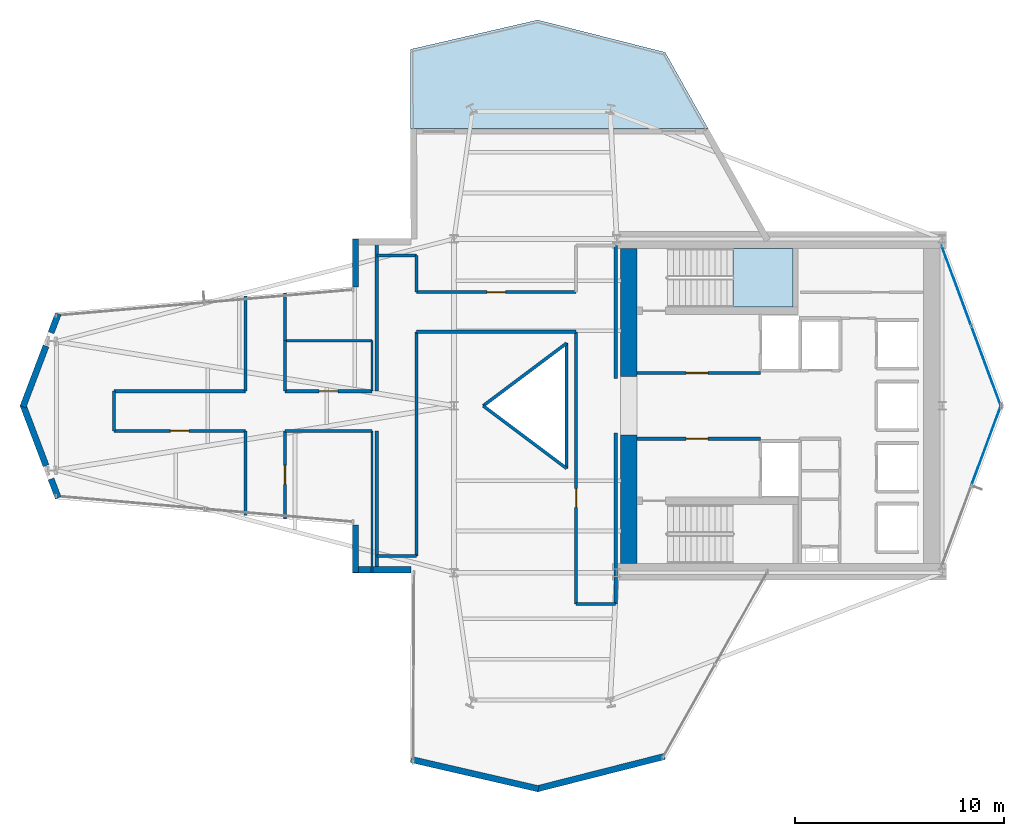
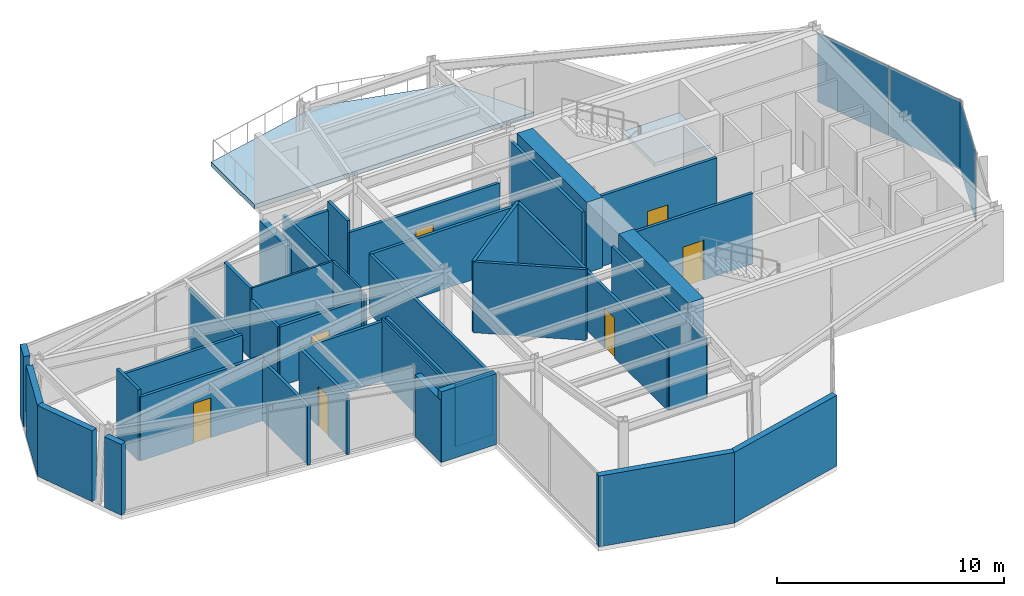
# One storey, part 19 of 23: 41 walls, 7 doors, 3 plates, 2 slabs, 7 openings, 3 elements without a shape of their own.
"""IFC4 building model written with IfcOpenShell, lengths in metres."""

from ifc_helpers import new_model, si_unit, direction, frame, frame_2d, origin, origin_2d, place, context, subcontext, project, spatial, polyline, rectangle, outline, extrude, material, layer, layer_set, type_object, element, fill, aggregate, save


model = new_model("IFC4")

# Units and contexts
model_context = context("Model", 3, precision=1e-05, world=origin(), true_north=direction((0.0, 1.0)))
body_context = subcontext(model_context, "Body", "Model", "MODEL_VIEW")
ifc_project = project(units=[si_unit("LENGTHUNIT", "METRE"), si_unit("AREAUNIT", "SQUARE_METRE"), si_unit("VOLUMEUNIT", "CUBIC_METRE"), si_unit("PLANEANGLEUNIT", "RADIAN"), si_unit("MASSUNIT", "GRAM", prefix="KILO")], contexts=[model_context])

# Site, building, storey
site_placement = place(None, origin())
site = spatial("IfcSite", under=ifc_project, at=site_placement, CompositionType="ELEMENT")
building_placement = place(site_placement, origin())
building = spatial("IfcBuilding", under=site, at=building_placement, Name="Veymaron Broadcast Tower", CompositionType="ELEMENT")
storey_placement = place(building_placement, frame((0.0, 0.0, 165.449951171875)))
storey = spatial("IfcBuildingStorey", under=building, at=storey_placement, Name="L38", CompositionType="ELEMENT", Elevation=165.449951171875)

# Curtain wall, plate
ifc_material_1 = material(Name="Anodised aluminium AA 6063-T6 and laminated low-E dark glass", Category="aluminium")
ifc_layer_1 = layer(ifc_material_1, 0.179931640625)
ifc_layer_set_1 = layer_set([ifc_layer_1], Name="Anodised aluminium AA 6063-T6 and laminated low-E dark glass")
curtain_wall_type = type_object("IfcCurtainWallType", Name="CW-SYS-03", PredefinedType="NOTDEFINED", material=ifc_layer_set_1)
curtain_wall_1_placement = place(storey_placement, origin())
curtain_wall_1 = element("IfcCurtainWall", 1, at=curtain_wall_1_placement, inside=storey, type_object=curtain_wall_type, Name="L38 dark-glass curtain wall CW-L38-E3-1", PredefinedType="NOTDEFINED")
ifc_material_2 = material(Name="Insulated dark-anodised aluminium spandrel panel 40 mm", Category="aluminium")
ifc_layer_2 = layer(ifc_material_2, 0.0400390625)
ifc_layer_set_2 = layer_set([ifc_layer_2], Name="Insulated dark-anodised aluminium spandrel panel 40 mm")
plate_type = type_object("IfcPlateType", Name="CW-PNL-03", PredefinedType="CURTAIN_PANEL", material=ifc_layer_set_2)
plate_1_placement = place(storey_placement, frame((56.712646484375, 22.111572265625, 0.0400390625), z_axis=(0.0, 0.0, 1.0), x_axis=(0.347115706928, 0.937822310464, 0.0)))
plate_1 = element("IfcPlate", 2, at=plate_1_placement, type_object=plate_type, Name="CW-L38-E3-1 unitised curtain panel 1", PredefinedType="CURTAIN_PANEL", context=body_context, shape_type="SweptSolid", body=[
    extrude(rectangle(XDim=4.07080078125, YDim=0.0400390625, at=origin_2d()), origin(), (0.0, 0.0, 1.0), 3.72998046875),
])
aggregate(curtain_wall_1, [plate_1])

# Curtain wall, plates
curtain_wall_2_placement = place(storey_placement, origin())
curtain_wall_2 = element("IfcCurtainWall", 3, at=curtain_wall_2_placement, inside=storey, type_object=curtain_wall_type, Name="L38 dark-glass curtain wall CW-L38-E4-1", PredefinedType="NOTDEFINED")
plate_2_placement = place(storey_placement, frame((56.712646484375, 25.888427734375, 0.0400390625), z_axis=(0.0, 0.0, 1.0), x_axis=(-0.347115706928, 0.937822310464, 0.0)))
plate_2 = element("IfcPlate", 4, at=plate_2_placement, type_object=plate_type, Name="CW-L38-E4-1 unitised curtain panel 0", PredefinedType="CURTAIN_PANEL", context=body_context, shape_type="SweptSolid", body=[
    extrude(rectangle(XDim=4.07080078125, YDim=0.0400390625, at=origin_2d()), origin(), (0.0, 0.0, 1.0), 3.72998046875),
])
plate_3_placement = place(storey_placement, frame((55.27880859375, 29.7626953125, 0.0400390625), z_axis=(0.0, 0.0, 1.0), x_axis=(-0.347115706928, 0.937822310464, 0.0)))
plate_3 = element("IfcPlate", 5, at=plate_3_placement, type_object=plate_type, Name="CW-L38-E4-1 unitised curtain panel 1", PredefinedType="CURTAIN_PANEL", context=body_context, shape_type="SweptSolid", body=[
    extrude(rectangle(XDim=4.07080078125, YDim=0.0400390625, at=origin_2d()), origin(), (0.0, 0.0, 1.0), 3.72998046875),
])
aggregate(curtain_wall_2, [plate_2, plate_3])

# Stair, slab
ifc_material_3 = material(Name="Concrete C50/60", Category="concrete")
stair_type = type_object("IfcStairType", Name="STAIR-CORE-1", PredefinedType="HALF_TURN_STAIR", material=ifc_material_3)
stair_placement = place(storey_placement, origin())
stair = element("IfcStair", 6, at=stair_placement, inside=storey, type_object=stair_type, Name="L38 North protected dog-leg exit stair ST1", PredefinedType="HALF_TURN_STAIR")
ifc_layer_3 = layer(ifc_material_3, 0.199951171875)
ifc_layer_set_3 = layer_set([ifc_layer_3], Name="Concrete C50/60")
slab_type_1 = type_object("IfcSlabType", Name="SLAB-STAIR-LDG", PredefinedType="LANDING", material=ifc_layer_set_3)
slab_1_placement = place(storey_placement, frame((0.0, 0.0, 1.824951171875)))
slab_1 = element("IfcSlab", 7, at=slab_1_placement, type_object=slab_type_1, Name="ST1 landing 1", PredefinedType="LANDING", context=body_context, shape_type="SweptSolid", body=[
    extrude(outline(polyline([(44.56494140625, 28.72998046875), (47.43994140625, 28.72998046875), (47.43994140625, 31.550048828125), (44.56494140625, 31.550048828125), (44.56494140625, 28.72998046875)])), origin(), (0.0, 0.0, 1.0), 0.2001953125),
])
aggregate(stair, [slab_1])

# Slab
ifc_material_4 = material(Name="Concrete C40/50", Category="concrete")
ifc_layer_4 = layer(ifc_material_4, 0.239990234375)
ifc_layer_set_4 = layer_set([ifc_layer_4], Name="Concrete C40/50")
slab_type_2 = type_object("IfcSlabType", Name="SLAB-TERR-250", PredefinedType="FLOOR", material=ifc_layer_set_4)
slab_2_placement = place(storey_placement, frame((0.0, 0.0, -0.239990234375)))
element("IfcSlab", 8, at=slab_2_placement, inside=storey, type_object=slab_type_2, Name="L38 outdoor sky terrace slab", PredefinedType="FLOOR", context=body_context, shape_type="SweptSolid", body=[
    extrude(outline(polyline([(29.119384765625, 37.29296875), (43.373779296875, 37.29296875), (41.32177734375, 40.94189453125), (35.212890625, 42.492919921875), (29.104248046875, 41.0830078125), (29.119384765625, 37.29296875)])), origin(), (0.0, 0.0, 1.0), 0.239990234375),
])

# Walls
ifc_material_5 = material(Name="Precast concrete C40/50 with mineral-wool insulation", Category="concrete")
ifc_layer_5 = layer(ifc_material_5, 0.300048828125)
ifc_layer_set_5 = layer_set([ifc_layer_5], Name="Precast concrete C40/50 with mineral-wool insulation")
wall_type_1 = type_object("IfcWallType", Name="WALL-EXT-300", PredefinedType="STANDARD", material=ifc_layer_set_5)
wall_1_placement = place(storey_placement, frame((26.48388671875, 32.0, 0.0), z_axis=(0.0, 0.0, 1.0), x_axis=(0.0, -1.0, 0.0)))
element("IfcWall", 9, at=wall_1_placement, inside=storey, type_object=wall_type_1, Name="L38 notched corner facade pier 10-1", PredefinedType="STANDARD", context=body_context, shape_type="SweptSolid", body=[
    extrude(rectangle(XDim=2.2998046875, YDim=0.300048828125, at=frame_2d((1.14990234375, 0.0))), origin(), (0.0, 0.0, 1.0), 3.338134765625),
])
wall_2_placement = place(storey_placement, frame((12.23095703125, 28.41455078125, 0.0), z_axis=(0.0, 0.0, 1.0), x_axis=(-0.354547807611, -0.935037888066, 0.0)))
element("IfcWall", 10, at=wall_2_placement, inside=storey, type_object=wall_type_1, Name="L38 notched corner facade pier 12-1", PredefinedType="STANDARD", context=body_context, shape_type="SweptSolid", body=[
    extrude(rectangle(XDim=0.96826171875, YDim=0.300048828125, at=frame_2d((0.484130859375, 0.0))), origin(), (0.0, 0.0, 1.0), 3.81005859375),
])
for number, where, z_axis, x_axis, name in (
    (11, (11.643798828125, 26.865234375, 0.0), (0.0, 0.0, 1.0), (-0.3544771525, -0.935064676028, 0.0), "L38 notched corner facade pier 12-2"),
    (12, (10.538818359375, 24.049560546875, 0.0), (0.0, 0.0, 1.0), (0.3544771525, -0.935064676028, 0.0), "L38 notched corner facade pier 13-1"),
):
    element("IfcWall", number, at=place(storey_placement, frame(where, z_axis=z_axis, x_axis=x_axis)), inside=storey, type_object=wall_type_1, Name=name, PredefinedType="STANDARD", context=body_context, shape_type="SweptSolid", body=[
        extrude(rectangle(XDim=3.1171875, YDim=0.300048828125, at=frame_2d((1.55859375, 0.0))), origin(), (0.0, 0.0, 1.0), 3.81005859375),
    ])
wall_3_placement = place(storey_placement, frame((11.8876953125, 20.49072265625, 0.0), z_axis=(0.0, 0.0, 1.0), x_axis=(0.354547807611, -0.935037888066, 0.0)))
element("IfcWall", 13, at=wall_3_placement, inside=storey, type_object=wall_type_1, Name="L38 notched corner facade pier 13-2", PredefinedType="STANDARD", context=body_context, shape_type="SweptSolid", body=[
    extrude(rectangle(XDim=0.96826171875, YDim=0.300048828125, at=frame_2d((0.484130859375, 0.0))), origin(), (0.0, 0.0, 1.0), 3.81005859375),
])
wall_4_placement = place(storey_placement, frame((26.48388671875, 18.2998046875, 0.0), z_axis=(0.0, 0.0, 1.0), x_axis=(0.0, -1.0, 0.0)))
element("IfcWall", 14, at=wall_4_placement, inside=storey, type_object=wall_type_1, Name="L38 notched corner facade pier 15-1", PredefinedType="STANDARD", context=body_context, shape_type="SweptSolid", body=[
    extrude(rectangle(XDim=2.2998046875, YDim=0.300048828125, at=frame_2d((1.14990234375, 0.0))), origin(), (0.0, 0.0, 1.0), 3.338134765625),
])
wall_5_placement = place(storey_placement, frame((26.343994140625, 16.139892578125, 0.0), z_axis=(0.0, 0.0, 1.0), x_axis=(1.0, 0.0, 0.0)))
element("IfcWall", 15, at=wall_5_placement, inside=storey, type_object=wall_type_1, Name="L38 notched corner facade pier 16-1", PredefinedType="STANDARD", context=body_context, shape_type="SweptSolid", body=[
    extrude(rectangle(XDim=2.796875, YDim=0.300048828125, at=frame_2d((1.3984375, 0.0))), origin(), (0.0, 0.0, 1.0), 3.81005859375),
])
wall_6_placement = place(storey_placement, frame((29.1357421875, 7.053466796875, 0.0), z_axis=(0.0, 0.0, 1.0), x_axis=(0.974374784836, -0.224930608577, 0.0)))
element("IfcWall", 16, at=wall_6_placement, inside=storey, type_object=wall_type_1, Name="L38 notched corner facade pier 18-1", PredefinedType="STANDARD", context=body_context, shape_type="SweptSolid", body=[
    extrude(rectangle(XDim=6.269287109375, YDim=0.300048828125, at=frame_2d((3.134765625, 0.0))), origin(), (0.0, 0.0, 1.0), 3.81005859375),
])
wall_7_placement = place(storey_placement, frame((35.178466796875, 5.642578125, 0.0), z_axis=(0.0, 0.0, 1.0), x_axis=(0.969247343208, 0.246088576908, 0.0)))
element("IfcWall", 17, at=wall_7_placement, inside=storey, type_object=wall_type_1, Name="L38 notched corner facade pier 19-1", PredefinedType="STANDARD", context=body_context, shape_type="SweptSolid", body=[
    extrude(rectangle(XDim=6.302734375, YDim=0.300048828125, at=frame_2d((3.1513671875, 0.0))), origin(), (0.0, 0.0, 1.0), 3.81005859375),
])

# Wall, opening, door
ifc_material_6 = material(Name="Gypsum fireboard and steel stud framing", Category="steel")
ifc_layer_6 = layer(ifc_material_6, 0.14990234375)
ifc_layer_set_6 = layer_set([ifc_layer_6], Name="Gypsum fireboard and steel stud framing")
wall_type_2 = type_object("IfcWallType", Name="WALL-FIRE-150", PredefinedType="PARTITIONING", material=ifc_layer_set_6)
wall_8_placement = place(storey_placement, frame((39.97998046875, 25.574951171875, 0.0), z_axis=(0.0, 0.0, 1.0), x_axis=(1.0, 0.0, 0.0)))
wall_8 = element("IfcWall", 18, at=wall_8_placement, inside=storey, type_object=wall_type_2, Name="L38 partition IW-L38-FFLN-S", PredefinedType="PARTITIONING", context=body_context, shape_type="SweptSolid", body=[
    extrude(rectangle(XDim=5.89990234375, YDim=0.14990234375, at=frame_2d((2.949951171875, 0.0))), origin(), (0.0, 0.0, 1.0), 3.81005859375),
])
opening_1_placement = place(wall_8_placement, frame((2.35009765625, 0.0, 0.0)))
opening_1 = element("IfcOpeningElement", 19, at=opening_1_placement, cuts=wall_8, Name="Opening ID-FL1", PredefinedType="OPENING", context=body_context, shape_type="SweptSolid", body=[
    extrude(rectangle(XDim=1.050048828125, YDim=2.14990234375, at=frame_2d((0.52490234375, 1.074951171875))), frame((0.0, 0.0849609375, 0.0), z_axis=(0.0, -1.0, 0.0), x_axis=(1.0, 0.0, 0.0)), (0.0, 0.0, 1.0), 0.169921875),
])
ifc_material_7 = material(Name="Fire-rated painted hollow steel ASTM A653", Category="steel")
door_type_1 = type_object("IfcDoorType", Name="DOOR-FIRE-1050", OperationType="NOTDEFINED", PredefinedType="DOOR", material=ifc_material_7)
door_1_placement = place(opening_1_placement, origin())
door_1 = element("IfcDoor", 20, at=door_1_placement, inside=storey, type_object=door_type_1, Name="L38 door DR-L38-FFLN", OperationType="SINGLE_SWING_LEFT", OverallHeight=2.14990234375, OverallWidth=1.050048828125, PredefinedType="DOOR", context=body_context, shape_type="SweptSolid", body=[
    extrude(rectangle(XDim=1.050048828125, YDim=2.14990234375, at=frame_2d((0.52490234375, 1.074951171875))), frame((0.0, 0.02490234375, 0.0), z_axis=(0.0, -1.0, 0.0), x_axis=(1.0, 0.0, 0.0)), (0.0, 0.0, 1.0), 0.050048828125),
])
fill(opening_1, door_1)

wall_9_placement = place(storey_placement, frame((39.97998046875, 22.425048828125, 0.0), z_axis=(0.0, 0.0, 1.0), x_axis=(1.0, 0.0, 0.0)))
wall_9 = element("IfcWall", 21, at=wall_9_placement, inside=storey, type_object=wall_type_2, Name="L38 partition IW-L38-FFLS-N", PredefinedType="PARTITIONING", context=body_context, shape_type="SweptSolid", body=[
    extrude(rectangle(XDim=5.89990234375, YDim=0.14990234375, at=frame_2d((2.949951171875, 0.0))), origin(), (0.0, 0.0, 1.0), 3.81005859375),
])
opening_2_placement = place(wall_9_placement, frame((2.35009765625, 0.0, 0.0)))
opening_2 = element("IfcOpeningElement", 22, at=opening_2_placement, cuts=wall_9, Name="Opening ID-FL1", PredefinedType="OPENING", context=body_context, shape_type="SweptSolid", body=[
    extrude(rectangle(XDim=1.050048828125, YDim=2.14990234375, at=frame_2d((0.52490234375, 1.074951171875))), frame((0.0, 0.0849609375, 0.0), z_axis=(0.0, -1.0, 0.0), x_axis=(1.0, 0.0, 0.0)), (0.0, 0.0, 1.0), 0.169921875),
])
door_2_placement = place(opening_2_placement, frame((1.050048828125, 0.0, 0.0), z_axis=(0.0, 0.0, 1.0), x_axis=(-1.0, 0.0, 0.0)))
door_2 = element("IfcDoor", 23, at=door_2_placement, inside=storey, type_object=door_type_1, Name="L38 door DR-L38-FFLS", OperationType="SINGLE_SWING_RIGHT", OverallHeight=2.14990234375, OverallWidth=1.050048828125, PredefinedType="DOOR", context=body_context, shape_type="SweptSolid", body=[
    extrude(rectangle(XDim=1.050048828125, YDim=2.14990234375, at=frame_2d((0.52490234375, 1.074951171875))), frame((0.0, 0.02490234375, 0.0), z_axis=(0.0, -1.0, 0.0), x_axis=(1.0, 0.0, 0.0)), (0.0, 0.0, 1.0), 0.050048828125),
])
fill(opening_2, door_2)

wall_10_placement = place(storey_placement, frame((37.050048828125, 14.5, 0.0), z_axis=(0.0, 0.0, 1.0), x_axis=(0.0, 1.0, 0.0)))
wall_10 = element("IfcWall", 24, at=wall_10_placement, inside=storey, type_object=wall_type_2, Name="L38 partition IW-L38-P01", PredefinedType="PARTITIONING", context=body_context, shape_type="SweptSolid", body=[
    extrude(rectangle(XDim=13.050048828125, YDim=0.14990234375, at=frame_2d((6.52490234375, 0.0))), origin(), (0.0, 0.0, 1.0), 3.18994140625),
])
opening_3_placement = place(wall_10_placement, frame((4.635009765625, 0.0, 0.0)))
opening_3 = element("IfcOpeningElement", 25, at=opening_3_placement, cuts=wall_10, Name="Opening ID-RM2", PredefinedType="OPENING", context=body_context, shape_type="SweptSolid", body=[
    extrude(rectangle(XDim=0.89990234375, YDim=2.14990234375, at=frame_2d((0.449951171875, 1.074951171875))), frame((0.0, 0.0849609375, 0.0), z_axis=(0.0, -1.0, 0.0), x_axis=(1.0, 0.0, 0.0)), (0.0, 0.0, 1.0), 0.169921875),
])
ifc_material_8 = material(Name="Acoustic solid-core European oak veneer timber", Category="wood")
door_type_2 = type_object("IfcDoorType", Name="DOOR-INT-900", OperationType="NOTDEFINED", PredefinedType="DOOR", material=ifc_material_8)
door_3_placement = place(opening_3_placement, frame((0.89990234375, 0.0, 0.0), z_axis=(0.0, 0.0, 1.0), x_axis=(-1.0, 0.0, 0.0)))
door_3 = element("IfcDoor", 26, at=door_3_placement, inside=storey, type_object=door_type_2, Name="L38 door DR-L38-P01", OperationType="SINGLE_SWING_RIGHT", OverallHeight=2.14990234375, OverallWidth=0.89990234375, PredefinedType="DOOR", context=body_context, shape_type="SweptSolid", body=[
    extrude(rectangle(XDim=0.89990234375, YDim=2.14990234375, at=frame_2d((0.449951171875, 1.074951171875))), frame((0.0, 0.02490234375, 0.0), z_axis=(0.0, -1.0, 0.0), x_axis=(1.0, 0.0, 0.0)), (0.0, 0.0, 1.0), 0.050048828125),
])
fill(opening_3, door_3)

wall_11_placement = place(storey_placement, frame((23.10009765625, 18.581298828125, 0.0), z_axis=(0.0, 0.0, 1.0), x_axis=(0.0, 1.0, 0.0)))
wall_11 = element("IfcWall", 27, at=wall_11_placement, inside=storey, type_object=wall_type_2, Name="L38 partition IW-L38-P08", PredefinedType="PARTITIONING", context=body_context, shape_type="SweptSolid", body=[
    extrude(rectangle(XDim=4.21875, YDim=0.14990234375, at=frame_2d((2.109375, 0.0))), origin(), (0.0, 0.0, 1.0), 3.18994140625),
])
opening_4_placement = place(wall_11_placement, frame((1.659423828125, 0.0, 0.0)))
opening_4 = element("IfcOpeningElement", 28, at=opening_4_placement, cuts=wall_11, Name="Opening ID-RM2", PredefinedType="OPENING", context=body_context, shape_type="SweptSolid", body=[
    extrude(rectangle(XDim=0.89990234375, YDim=2.14990234375, at=frame_2d((0.449951171875, 1.074951171875))), frame((0.0, 0.0849609375, 0.0), z_axis=(0.0, -1.0, 0.0), x_axis=(1.0, 0.0, 0.0)), (0.0, 0.0, 1.0), 0.169921875),
])
door_4_placement = place(opening_4_placement, frame((0.89990234375, 0.0, 0.0), z_axis=(0.0, 0.0, 1.0), x_axis=(-1.0, 0.0, 0.0)))
door_4 = element("IfcDoor", 29, at=door_4_placement, inside=storey, type_object=door_type_2, Name="L38 door DR-L38-P08", OperationType="SINGLE_SWING_LEFT", OverallHeight=2.14990234375, OverallWidth=0.89990234375, PredefinedType="DOOR", context=body_context, shape_type="SweptSolid", body=[
    extrude(rectangle(XDim=0.89990234375, YDim=2.14990234375, at=frame_2d((0.449951171875, 1.074951171875))), frame((0.0, 0.02490234375, 0.0), z_axis=(0.0, -1.0, 0.0), x_axis=(1.0, 0.0, 0.0)), (0.0, 0.0, 1.0), 0.050048828125),
])
fill(opening_4, door_4)

wall_12_placement = place(storey_placement, frame((14.907958984375, 22.800048828125, 0.0), z_axis=(0.0, 0.0, 1.0), x_axis=(1.0, 0.0, 0.0)))
wall_12 = element("IfcWall", 30, at=wall_12_placement, inside=storey, type_object=wall_type_2, Name="L38 partition IW-L38-P10", PredefinedType="PARTITIONING", context=body_context, shape_type="SweptSolid", body=[
    extrude(rectangle(XDim=6.2919921875, YDim=0.14990234375, at=frame_2d((3.14599609375, 0.0))), origin(), (0.0, 0.0, 1.0), 3.443115234375),
])
opening_5_placement = place(wall_12_placement, frame((2.696044921875, 0.0, 0.0)))
opening_5 = element("IfcOpeningElement", 31, at=opening_5_placement, cuts=wall_12, Name="Opening ID-RM2", PredefinedType="OPENING", context=body_context, shape_type="SweptSolid", body=[
    extrude(rectangle(XDim=0.89990234375, YDim=2.14990234375, at=frame_2d((0.449951171875, 1.074951171875))), frame((0.0, 0.0849609375, 0.0), z_axis=(0.0, -1.0, 0.0), x_axis=(1.0, 0.0, 0.0)), (0.0, 0.0, 1.0), 0.169921875),
])
door_5_placement = place(opening_5_placement, frame((0.89990234375, 0.0, 0.0), z_axis=(0.0, 0.0, 1.0), x_axis=(-1.0, 0.0, 0.0)))
door_5 = element("IfcDoor", 32, at=door_5_placement, inside=storey, type_object=door_type_2, Name="L38 door DR-L38-P10", OperationType="SINGLE_SWING_LEFT", OverallHeight=2.14990234375, OverallWidth=0.89990234375, PredefinedType="DOOR", context=body_context, shape_type="SweptSolid", body=[
    extrude(rectangle(XDim=0.89990234375, YDim=2.14990234375, at=frame_2d((0.449951171875, 1.074951171875))), frame((0.0, 0.02490234375, 0.0), z_axis=(0.0, -1.0, 0.0), x_axis=(1.0, 0.0, 0.0)), (0.0, 0.0, 1.0), 0.050048828125),
])
fill(opening_5, door_5)

wall_13_placement = place(storey_placement, frame((23.10009765625, 24.699951171875, 0.0), z_axis=(0.0, 0.0, 1.0), x_axis=(1.0, 0.0, 0.0)))
wall_13 = element("IfcWall", 33, at=wall_13_placement, inside=storey, type_object=wall_type_2, Name="L38 partition IW-L38-P15", PredefinedType="PARTITIONING", context=body_context, shape_type="SweptSolid", body=[
    extrude(rectangle(XDim=4.1669921875, YDim=0.14990234375, at=frame_2d((2.08349609375, 0.0))), origin(), (0.0, 0.0, 1.0), 3.18994140625),
])
opening_6_placement = place(wall_13_placement, frame((1.633544921875, 0.0, 0.0)))
opening_6 = element("IfcOpeningElement", 34, at=opening_6_placement, cuts=wall_13, Name="Opening ID-RM2", PredefinedType="OPENING", context=body_context, shape_type="SweptSolid", body=[
    extrude(rectangle(XDim=0.89990234375, YDim=2.14990234375, at=frame_2d((0.449951171875, 1.074951171875))), frame((0.0, 0.0849609375, 0.0), z_axis=(0.0, -1.0, 0.0), x_axis=(1.0, 0.0, 0.0)), (0.0, 0.0, 1.0), 0.169921875),
])
door_6_placement = place(opening_6_placement, origin())
door_6 = element("IfcDoor", 35, at=door_6_placement, inside=storey, type_object=door_type_2, Name="L38 door DR-L38-P15", OperationType="SINGLE_SWING_RIGHT", OverallHeight=2.14990234375, OverallWidth=0.89990234375, PredefinedType="DOOR", context=body_context, shape_type="SweptSolid", body=[
    extrude(rectangle(XDim=0.89990234375, YDim=2.14990234375, at=frame_2d((0.449951171875, 1.074951171875))), frame((0.0, 0.02490234375, 0.0), z_axis=(0.0, -1.0, 0.0), x_axis=(1.0, 0.0, 0.0)), (0.0, 0.0, 1.0), 0.050048828125),
])
fill(opening_6, door_6)

wall_14_placement = place(storey_placement, frame((29.39990234375, 29.449951171875, 0.0), z_axis=(0.0, 0.0, 1.0), x_axis=(1.0, 0.0, 0.0)))
wall_14 = element("IfcWall", 36, at=wall_14_placement, inside=storey, type_object=wall_type_2, Name="L38 partition IW-L38-P17", PredefinedType="PARTITIONING", context=body_context, shape_type="SweptSolid", body=[
    extrude(rectangle(XDim=7.650146484375, YDim=0.14990234375, at=frame_2d((3.8251953125, 0.0))), origin(), (0.0, 0.0, 1.0), 3.18994140625),
])
opening_7_placement = place(wall_14_placement, frame((3.375, 0.0, 0.0)))
opening_7 = element("IfcOpeningElement", 37, at=opening_7_placement, cuts=wall_14, Name="Opening ID-RM2", PredefinedType="OPENING", context=body_context, shape_type="SweptSolid", body=[
    extrude(rectangle(XDim=0.89990234375, YDim=2.14990234375, at=frame_2d((0.449951171875, 1.074951171875))), frame((0.0, 0.0849609375, 0.0), z_axis=(0.0, -1.0, 0.0), x_axis=(1.0, 0.0, 0.0)), (0.0, 0.0, 1.0), 0.169921875),
])
door_7_placement = place(opening_7_placement, origin())
door_7 = element("IfcDoor", 38, at=door_7_placement, inside=storey, type_object=door_type_2, Name="L38 door DR-L38-P17", OperationType="SINGLE_SWING_RIGHT", OverallHeight=2.14990234375, OverallWidth=0.89990234375, PredefinedType="DOOR", context=body_context, shape_type="SweptSolid", body=[
    extrude(rectangle(XDim=0.89990234375, YDim=2.14990234375, at=frame_2d((0.449951171875, 1.074951171875))), frame((0.0, 0.02490234375, 0.0), z_axis=(0.0, -1.0, 0.0), x_axis=(1.0, 0.0, 0.0)), (0.0, 0.0, 1.0), 0.050048828125),
])
fill(opening_7, door_7)

# Walls
wall_15_placement = place(storey_placement, frame((29.39990234375, 16.800048828125, 0.0), z_axis=(0.0, 0.0, 1.0), x_axis=(0.0, 1.0, 0.0)))
element("IfcWall", 39, at=wall_15_placement, inside=storey, type_object=wall_type_2, Name="L38 partition IW-L38-P02", PredefinedType="PARTITIONING", context=body_context, shape_type="SweptSolid", body=[
    extrude(rectangle(XDim=10.75, YDim=0.14990234375, at=frame_2d((5.375, 0.0))), origin(), (0.0, 0.0, 1.0), 3.18994140625),
])
wall_16_placement = place(storey_placement, frame((38.949951171875, 14.5, 0.0), z_axis=(0.0, 0.0, 1.0), x_axis=(0.0, 1.0, 0.0)))
element("IfcWall", 40, at=wall_16_placement, inside=storey, type_object=wall_type_2, Name="L38 partition IW-L38-P03", PredefinedType="PARTITIONING", context=body_context, shape_type="SweptSolid", body=[
    extrude(rectangle(XDim=8.199951171875, YDim=0.14990234375, at=frame_2d((4.10009765625, 0.0))), origin(), (0.0, 0.0, 1.0), 3.18994140625),
])
wall_17_placement = place(storey_placement, frame((29.39990234375, 27.550048828125, 0.0), z_axis=(0.0, 0.0, 1.0), x_axis=(1.0, 0.0, 0.0)))
element("IfcWall", 41, at=wall_17_placement, inside=storey, type_object=wall_type_2, Name="L38 partition IW-L38-P04", PredefinedType="PARTITIONING", context=body_context, shape_type="SweptSolid", body=[
    extrude(rectangle(XDim=7.650146484375, YDim=0.14990234375, at=frame_2d((3.8251953125, 0.0))), origin(), (0.0, 0.0, 1.0), 3.18994140625),
])
wall_18_placement = place(storey_placement, frame((27.5, 16.139892578125, 0.0), z_axis=(0.0, 0.0, 1.0), x_axis=(0.0, 1.0, 0.0)))
element("IfcWall", 42, at=wall_18_placement, inside=storey, type_object=wall_type_2, Name="L38 partition IW-L38-P05", PredefinedType="PARTITIONING", context=body_context, shape_type="SweptSolid", body=[
    extrude(rectangle(XDim=6.66015625, YDim=0.14990234375, at=frame_2d((3.330078125, 0.0))), origin(), (0.0, 0.0, 1.0), 3.338134765625),
])
wall_19_placement = place(storey_placement, frame((37.050048828125, 14.5, 0.0), z_axis=(0.0, 0.0, 1.0), x_axis=(1.0, 0.0, 0.0)))
element("IfcWall", 43, at=wall_19_placement, inside=storey, type_object=wall_type_2, Name="L38 partition IW-L38-P06", PredefinedType="PARTITIONING", context=body_context, shape_type="SweptSolid", body=[
    extrude(rectangle(XDim=1.89990234375, YDim=0.14990234375, at=frame_2d((0.949951171875, 0.0))), origin(), (0.0, 0.0, 1.0), 3.18994140625),
])
wall_20_placement = place(storey_placement, frame((27.5, 16.800048828125, 0.0), z_axis=(0.0, 0.0, 1.0), x_axis=(1.0, 0.0, 0.0)))
element("IfcWall", 44, at=wall_20_placement, inside=storey, type_object=wall_type_2, Name="L38 partition IW-L38-P07", PredefinedType="PARTITIONING", context=body_context, shape_type="SweptSolid", body=[
    extrude(rectangle(XDim=1.89990234375, YDim=0.14990234375, at=frame_2d((0.949951171875, 0.0))), origin(), (0.0, 0.0, 1.0), 3.338134765625),
])
wall_21_placement = place(storey_placement, frame((23.10009765625, 22.800048828125, 0.0), z_axis=(0.0, 0.0, 1.0), x_axis=(1.0, 0.0, 0.0)))
element("IfcWall", 45, at=wall_21_placement, inside=storey, type_object=wall_type_2, Name="L38 partition IW-L38-P09", PredefinedType="PARTITIONING", context=body_context, shape_type="SweptSolid", body=[
    extrude(rectangle(XDim=4.1669921875, YDim=0.14990234375, at=frame_2d((2.08349609375, 0.0))), origin(), (0.0, 0.0, 1.0), 3.18994140625),
])
wall_22_placement = place(storey_placement, frame((14.907958984375, 24.699951171875, 0.0), z_axis=(0.0, 0.0, 1.0), x_axis=(1.0, 0.0, 0.0)))
element("IfcWall", 46, at=wall_22_placement, inside=storey, type_object=wall_type_2, Name="L38 partition IW-L38-P11", PredefinedType="PARTITIONING", context=body_context, shape_type="SweptSolid", body=[
    extrude(rectangle(XDim=6.2919921875, YDim=0.14990234375, at=frame_2d((3.14599609375, 0.0))), origin(), (0.0, 0.0, 1.0), 3.443115234375),
])
wall_23_placement = place(storey_placement, frame((21.199951171875, 24.699951171875, 0.0), z_axis=(0.0, 0.0, 1.0), x_axis=(0.0, 1.0, 0.0)))
element("IfcWall", 47, at=wall_23_placement, inside=storey, type_object=wall_type_2, Name="L38 partition IW-L38-P12", PredefinedType="PARTITIONING", context=body_context, shape_type="SweptSolid", body=[
    extrude(rectangle(XDim=4.553955078125, YDim=0.14990234375, at=frame_2d((2.27685546875, 0.0))), origin(), (0.0, 0.0, 1.0), 3.18994140625),
])
wall_24_placement = place(storey_placement, frame((21.199951171875, 18.74609375, 0.0), z_axis=(0.0, 0.0, 1.0), x_axis=(0.0, 1.0, 0.0)))
element("IfcWall", 48, at=wall_24_placement, inside=storey, type_object=wall_type_2, Name="L38 partition IW-L38-P13", PredefinedType="PARTITIONING", context=body_context, shape_type="SweptSolid", body=[
    extrude(rectangle(XDim=4.053955078125, YDim=0.14990234375, at=frame_2d((2.02685546875, 0.0))), origin(), (0.0, 0.0, 1.0), 3.18994140625),
])
wall_25_placement = place(storey_placement, frame((14.907958984375, 22.800048828125, 0.0), z_axis=(0.0, 0.0, 1.0), x_axis=(0.0, 1.0, 0.0)))
element("IfcWall", 49, at=wall_25_placement, inside=storey, type_object=wall_type_2, Name="L38 partition IW-L38-P14", PredefinedType="PARTITIONING", context=body_context, shape_type="SweptSolid", body=[
    extrude(rectangle(XDim=1.89990234375, YDim=0.14990234375, at=frame_2d((0.949951171875, 0.0))), origin(), (0.0, 0.0, 1.0), 3.81005859375),
])
wall_26_placement = place(storey_placement, frame((23.10009765625, 24.699951171875, 0.0), z_axis=(0.0, 0.0, 1.0), x_axis=(0.0, 1.0, 0.0)))
element("IfcWall", 50, at=wall_26_placement, inside=storey, type_object=wall_type_2, Name="L38 partition IW-L38-P16", PredefinedType="PARTITIONING", context=body_context, shape_type="SweptSolid", body=[
    extrude(rectangle(XDim=2.421142578125, YDim=0.14990234375, at=frame_2d((1.21044921875, 0.0))), origin(), (0.0, 0.0, 1.0), 3.18994140625),
])
wall_27_placement = place(storey_placement, frame((27.5, 24.699951171875, 0.0), z_axis=(0.0, 0.0, 1.0), x_axis=(0.0, 1.0, 0.0)))
element("IfcWall", 51, at=wall_27_placement, inside=storey, type_object=wall_type_2, Name="L38 partition IW-L38-P18", PredefinedType="PARTITIONING", context=body_context, shape_type="SweptSolid", body=[
    extrude(rectangle(XDim=7.16015625, YDim=0.14990234375, at=frame_2d((3.580078125, 0.0))), origin(), (0.0, 0.0, 1.0), 3.338134765625),
])
wall_28_placement = place(storey_placement, frame((38.949951171875, 25.300048828125, 0.0), z_axis=(0.0, 0.0, 1.0), x_axis=(0.0, 1.0, 0.0)))
element("IfcWall", 52, at=wall_28_placement, inside=storey, type_object=wall_type_2, Name="L38 partition IW-L38-P19", PredefinedType="PARTITIONING", context=body_context, shape_type="SweptSolid", body=[
    extrude(rectangle(XDim=6.39306640625, YDim=0.14990234375, at=frame_2d((3.196533203125, 0.0))), origin(), (0.0, 0.0, 1.0), 3.443115234375),
])
wall_29_placement = place(storey_placement, frame((23.10009765625, 27.12109375, 0.0), z_axis=(0.0, 0.0, 1.0), x_axis=(0.0, 1.0, 0.0)))
element("IfcWall", 53, at=wall_29_placement, inside=storey, type_object=wall_type_2, Name="L38 partition IW-L38-P20", PredefinedType="PARTITIONING", context=body_context, shape_type="SweptSolid", body=[
    extrude(rectangle(XDim=2.297607421875, YDim=0.14990234375, at=frame_2d((1.14892578125, 0.0))), origin(), (0.0, 0.0, 1.0), 3.81005859375),
])
wall_30_placement = place(storey_placement, frame((27.5, 31.199951171875, 0.0), z_axis=(0.0, 0.0, 1.0), x_axis=(1.0, 0.0, 0.0)))
element("IfcWall", 54, at=wall_30_placement, inside=storey, type_object=wall_type_2, Name="L38 partition IW-L38-P23", PredefinedType="PARTITIONING", context=body_context, shape_type="SweptSolid", body=[
    extrude(rectangle(XDim=1.89990234375, YDim=0.14990234375, at=frame_2d((0.949951171875, 0.0))), origin(), (0.0, 0.0, 1.0), 3.338134765625),
])
wall_31_placement = place(storey_placement, frame((29.39990234375, 29.449951171875, 0.0), z_axis=(0.0, 0.0, 1.0), x_axis=(0.0, 1.0, 0.0)))
element("IfcWall", 55, at=wall_31_placement, inside=storey, type_object=wall_type_2, Name="L38 partition IW-L38-P24", PredefinedType="PARTITIONING", context=body_context, shape_type="SweptSolid", body=[
    extrude(rectangle(XDim=1.75, YDim=0.14990234375, at=frame_2d((0.875, 0.0))), origin(), (0.0, 0.0, 1.0), 3.81005859375),
])
ifc_material_9 = material(Name="Fire-rated laminated glass in aluminium frame", Category="aluminium")
ifc_layer_7 = layer(ifc_material_9, 0.14990234375)
ifc_layer_set_7 = layer_set([ifc_layer_7], Name="Fire-rated laminated glass in aluminium frame")
wall_type_3 = type_object("IfcWallType", Name="WALL-GLZ-150", PredefinedType="MOVABLE", material=ifc_layer_set_7)
wall_32_placement = place(storey_placement, frame((32.60009765625, 24.0, 0.0), z_axis=(0.0, 0.0, 1.0), x_axis=(0.8, -0.6, 0.0)))
element("IfcWall", 56, at=wall_32_placement, inside=storey, type_object=wall_type_3, Name="L38 partition IW-L38-ATR1", PredefinedType="MOVABLE", context=body_context, shape_type="SweptSolid", body=[
    extrude(rectangle(XDim=5.0, YDim=0.14990234375, at=frame_2d((2.5, 0.0))), origin(), (0.0, 0.0, 1.0), 3.81005859375),
])
wall_33_placement = place(storey_placement, frame((36.60009765625, 21.0, 0.0), z_axis=(0.0, 0.0, 1.0), x_axis=(0.0, 1.0, 0.0)))
element("IfcWall", 57, at=wall_33_placement, inside=storey, type_object=wall_type_3, Name="L38 partition IW-L38-ATR2", PredefinedType="MOVABLE", context=body_context, shape_type="SweptSolid", body=[
    extrude(rectangle(XDim=6.0, YDim=0.14990234375, at=frame_2d((3.0, 0.0))), origin(), (0.0, 0.0, 1.0), 3.81005859375),
])
wall_34_placement = place(storey_placement, frame((36.60009765625, 27.0, 0.0), z_axis=(0.0, 0.0, 1.0), x_axis=(-0.8, -0.6, 0.0)))
element("IfcWall", 58, at=wall_34_placement, inside=storey, type_object=wall_type_3, Name="L38 partition IW-L38-ATR3", PredefinedType="MOVABLE", context=body_context, shape_type="SweptSolid", body=[
    extrude(rectangle(XDim=5.0, YDim=0.14990234375, at=frame_2d((2.5, 0.0))), origin(), (0.0, 0.0, 1.0), 3.81005859375),
])
ifc_material_10 = material(Name="Acoustic gypsum board and galvanized stud", Category="gypsum")
ifc_layer_8 = layer(ifc_material_10, 0.10009765625)
ifc_layer_set_8 = layer_set([ifc_layer_8], Name="Acoustic gypsum board and galvanized stud")
wall_type_4 = type_object("IfcWallType", Name="WALL-PART-100", PredefinedType="PARTITIONING", material=ifc_layer_set_8)
wall_35_placement = place(storey_placement, frame((27.26708984375, 16.0, 0.0), z_axis=(0.0, 0.0, 1.0), x_axis=(0.0, 1.0, 0.0)))
element("IfcWall", 59, at=wall_35_placement, inside=storey, type_object=wall_type_4, Name="L38 partition IW-L38-P25", PredefinedType="PARTITIONING", context=body_context, shape_type="SweptSolid", body=[
    extrude(rectangle(XDim=6.800048828125, YDim=0.10009765625, at=frame_2d((3.39990234375, 0.0))), origin(), (0.0, 0.0, 1.0), 3.338134765625),
])
wall_36_placement = place(storey_placement, frame((23.10009765625, 27.12109375, 0.0), z_axis=(0.0, 0.0, 1.0), x_axis=(1.0, 0.0, 0.0)))
element("IfcWall", 60, at=wall_36_placement, inside=storey, type_object=wall_type_4, Name="L38 partition IW-L38-P26", PredefinedType="PARTITIONING", context=body_context, shape_type="SweptSolid", body=[
    extrude(rectangle(XDim=4.1669921875, YDim=0.10009765625, at=frame_2d((2.08349609375, 0.0))), origin(), (0.0, 0.0, 1.0), 3.81005859375),
])
wall_37_placement = place(storey_placement, frame((27.26708984375, 24.699951171875, 0.0), z_axis=(0.0, 0.0, 1.0), x_axis=(0.0, 1.0, 0.0)))
element("IfcWall", 61, at=wall_37_placement, inside=storey, type_object=wall_type_4, Name="L38 partition IW-L38-P27", PredefinedType="PARTITIONING", context=body_context, shape_type="SweptSolid", body=[
    extrude(rectangle(XDim=2.421142578125, YDim=0.10009765625, at=frame_2d((1.21044921875, 0.0))), origin(), (0.0, 0.0, 1.0), 3.81005859375),
])
ifc_material_11 = material(Name="Concrete C60/75", Category="concrete")
ifc_layer_9 = layer(ifc_material_11, 0.800048828125)
ifc_layer_set_9 = layer_set([ifc_layer_9], Name="Concrete C60/75")
wall_type_5 = type_object("IfcWallType", Name="WALL-SHEAR-800", PredefinedType="SHEAR", material=ifc_layer_set_9)
for number, where, z_axis, x_axis, name in (
    (62, (39.580078125, 16.449951171875, 0.0), (0.0, 0.0, 1.0), (0.0, 1.0, 0.0), "L38 Core Wall west-south shear"),
    (63, (39.580078125, 25.39990234375, 0.0), (0.0, 0.0, 1.0), (0.0, 1.0, 0.0), "L38 Core Wall west-north shear"),
):
    element("IfcWall", number, at=place(storey_placement, frame(where, z_axis=z_axis, x_axis=x_axis)), inside=storey, type_object=wall_type_5, Name=name, PredefinedType="SHEAR", context=body_context, shape_type="SweptSolid", body=[
        extrude(rectangle(XDim=6.150146484375, YDim=0.800048828125, at=frame_2d((3.0751953125, 0.0))), origin(), (0.0, 0.0, 1.0), 3.81005859375),
    ])

save(model, "model.ifc")
